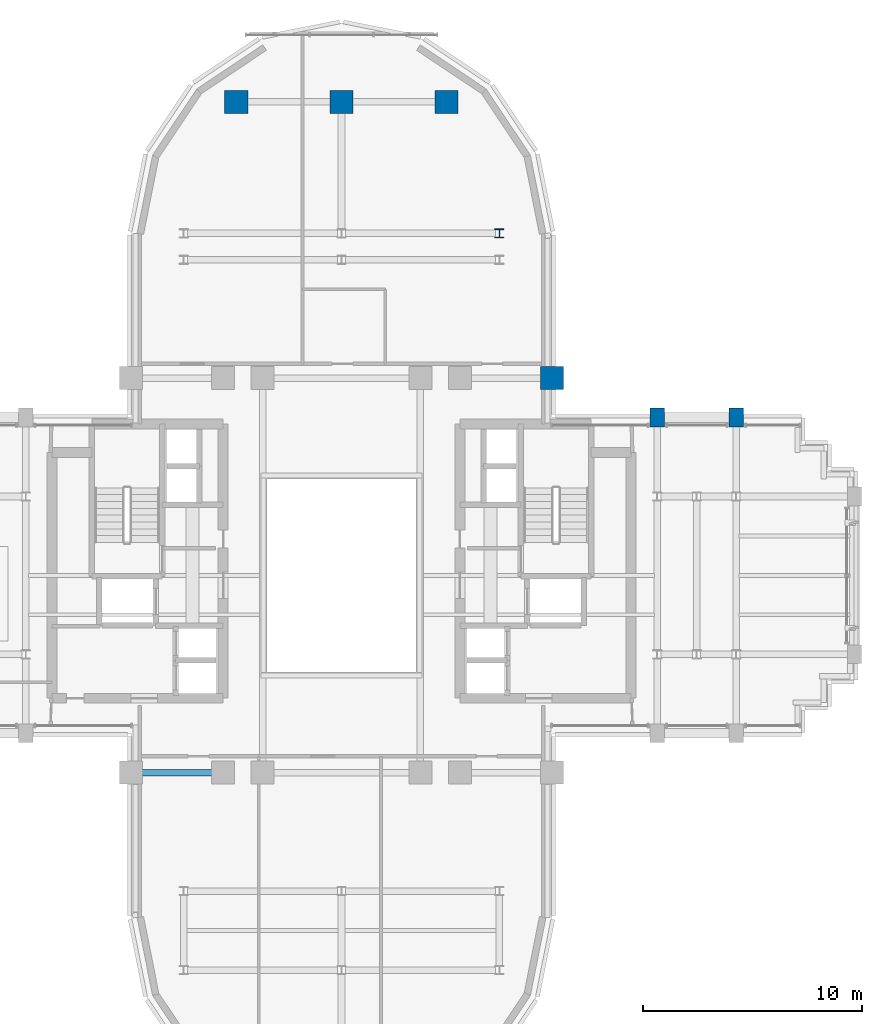
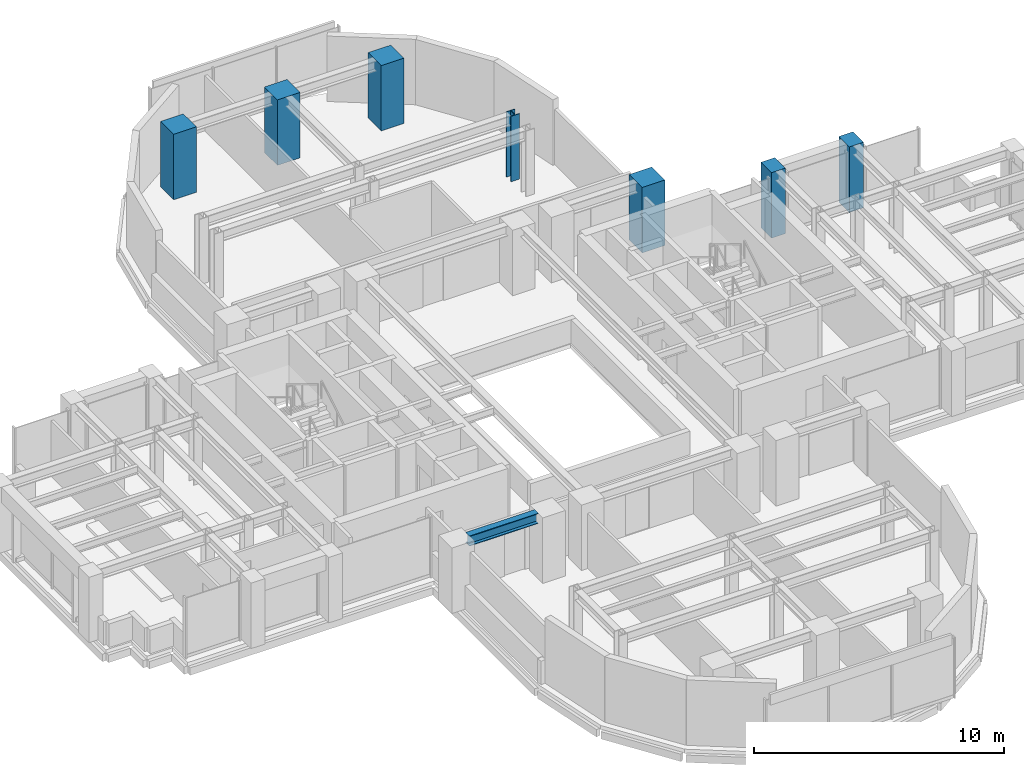
# One storey, part 2 of 13: 7 columns, 1 beam.
"""IFC4 building model written with IfcOpenShell, lengths in metres."""

from ifc_helpers import new_model, si_unit, direction, frame, origin, origin_2d, place, context, subcontext, project, spatial, rectangle, i_section, extrude, source, transform, mapped, material, material_profile, profile_set, type_object, element, save


model = new_model("IFC4")

# Units and contexts
model_context = context("Model", 3, precision=1e-05, world=origin(), true_north=direction((0.0, 1.0)))
body_context = subcontext(model_context, "Body", "Model", "MODEL_VIEW")
ifc_project = project(units=[si_unit("LENGTHUNIT", "METRE"), si_unit("AREAUNIT", "SQUARE_METRE"), si_unit("VOLUMEUNIT", "CUBIC_METRE"), si_unit("PLANEANGLEUNIT", "RADIAN"), si_unit("MASSUNIT", "GRAM", prefix="KILO")], contexts=[model_context])

# Site, building, storey
site_placement = place(None, origin())
site = spatial("IfcSite", under=ifc_project, at=site_placement, CompositionType="ELEMENT")
building_placement = place(site_placement, origin())
building = spatial("IfcBuilding", under=site, at=building_placement, Name="Keilestroom Media Tower", CompositionType="ELEMENT")
storey_placement = place(building_placement, frame((0.0, 0.0, 141.39990234375)))
storey = spatial("IfcBuildingStorey", under=building, at=storey_placement, Name="L38", CompositionType="ELEMENT", Elevation=141.39990234375)

# Columns
ifc_material_1 = material(Name="Precast concrete C40/50", Category="concrete")
ifc_material_profile_1 = material_profile(ifc_material_1, rectangle(XDim=0.64990234375, YDim=0.85009765625, at=origin_2d()), Name="PC 850x650")
ifc_profile_set_1 = profile_set([ifc_material_profile_1], Name="Precast concrete C40/50")
column_type_1 = type_object("IfcColumnType", Name="Structural-Column-PC-850x650", PredefinedType="COLUMN", material=ifc_profile_set_1)
shared_shape_1 = source(origin(), body_context, "Body", "SweptSolid", [
    extrude(rectangle(XDim=0.64990234375, YDim=0.85009765625, at=origin_2d()), origin(), (0.0, 0.0, 1.0), 3.2001953125),
])
for number, where, z_axis, x_axis, name in (
    (1, (14.39990234375, 7.199951171875, 0.0), (0.0, 0.0, 1.0), (1.0, 0.0, 0.0), "L38 Column PC-2 (+14.4,+7.2)"),
    (2, (18.0, 7.199951171875, 0.0), (0.0, 0.0, 1.0), (1.0, 0.0, 0.0), "L38 Column PC-2 (+18.0,+7.2)"),
):
    element("IfcColumn", number, at=place(storey_placement, frame(where, z_axis=z_axis, x_axis=x_axis)), inside=storey, type_object=column_type_1, Name=name, PredefinedType="COLUMN", context=body_context, shape_type="MappedRepresentation", body=[
        mapped(shared_shape_1, transform((0.0, 0.0, 0.0), x_axis=(1.0, 0.0, 0.0), y_axis=(0.0, 1.0, 0.0), z_axis=(0.0, 0.0, 1.0), scale=1.0)),
    ])
ifc_material_2 = material(Name="Steel S355", Category="steel")
ifc_material_profile_2 = material_profile(ifc_material_2, i_section(OverallWidth=0.40087890625, OverallDepth=0.39892578125, WebThickness=0.02001953125, FlangeThickness=0.031982421875, at=origin_2d()), Name="HD 400x314")
ifc_profile_set_2 = profile_set([ifc_material_profile_2], Name="Steel S355")
column_type_2 = type_object("IfcColumnType", Name="Structural-Column-HD-400x314", PredefinedType="COLUMN", material=ifc_profile_set_2)
shared_shape_2 = source(origin(), body_context, "Body", "SweptSolid", [
    extrude(i_section(OverallWidth=0.40087890625, OverallDepth=0.39892578125, WebThickness=0.02001953125, FlangeThickness=0.031982421875, at=origin_2d()), origin(), (0.0, 0.0, 1.0), 3.2001953125),
])
column_placement = place(storey_placement, frame((7.199951171875, 15.60009765625, 0.0), z_axis=(0.0, 0.0, 1.0), x_axis=(1.0, 0.0, 0.0)))
element("IfcColumn", 3, at=column_placement, inside=storey, type_object=column_type_2, Name="L38 Column SC-3 (+7.2,+15.6)", PredefinedType="COLUMN", context=body_context, shape_type="MappedRepresentation", body=[
    mapped(shared_shape_2, transform((0.0, 0.0, 0.0), x_axis=(1.0, 0.0, 0.0), y_axis=(0.0, 1.0, 0.0), z_axis=(0.0, 0.0, 1.0), scale=1.0)),
])
ifc_material_3 = material(Name="Concrete C55/67", Category="concrete")
ifc_material_profile_3 = material_profile(ifc_material_3, rectangle(XDim=1.050048828125, YDim=1.050048828125, at=origin_2d()), Name="RC 1050x1050")
ifc_profile_set_3 = profile_set([ifc_material_profile_3], Name="Concrete C55/67")
column_type_3 = type_object("IfcColumnType", Name="Structural-Column-RC-1050x1050", PredefinedType="COLUMN", material=ifc_profile_set_3)
shared_shape_3 = source(origin(), body_context, "Body", "SweptSolid", [
    extrude(rectangle(XDim=1.050048828125, YDim=1.050048828125, at=origin_2d()), origin(), (0.0, 0.0, 1.0), 3.2001953125),
])
for number, where, z_axis, x_axis, name in (
    (4, (-4.800048828125, 21.60009765625, 0.0), (0.0, 0.0, 1.0), (1.0, 0.0, 0.0), "L38 Column MC-3 (-4.8,+21.6)"),
    (5, (0.0, 21.60009765625, 0.0), (0.0, 0.0, 1.0), (1.0, 0.0, 0.0), "L38 Column MC-3 (+0.0,+21.6)"),
    (6, (4.800048828125, 21.60009765625, 0.0), (0.0, 0.0, 1.0), (1.0, 0.0, 0.0), "L38 Column MC-3 (+4.8,+21.6)"),
    (7, (9.60009765625, 9.0, 0.0), (0.0, 0.0, 1.0), (1.0, 0.0, 0.0), "L38 Column MC-3 (+9.6,+9.0)"),
):
    element("IfcColumn", number, at=place(storey_placement, frame(where, z_axis=z_axis, x_axis=x_axis)), inside=storey, type_object=column_type_3, Name=name, PredefinedType="COLUMN", context=body_context, shape_type="MappedRepresentation", body=[
        mapped(shared_shape_3, transform((0.0, 0.0, 0.0), x_axis=(1.0, 0.0, 0.0), y_axis=(0.0, 1.0, 0.0), z_axis=(0.0, 0.0, 1.0), scale=1.0)),
    ])

# Beam
ifc_material_profile_4 = material_profile(ifc_material_2, i_section(OverallWidth=0.300048828125, OverallDepth=0.5, WebThickness=0.012451171875, FlangeThickness=0.028076171875, at=origin_2d()), Name="HEB 500")
ifc_profile_set_4 = profile_set([ifc_material_profile_4], Name="Steel S355")
beam_type = type_object("IfcBeamType", Name="Primary-Structural-Girder-HEB-500", PredefinedType="BEAM", material=ifc_profile_set_4)
shared_shape_4 = source(origin(), body_context, "Body", "SweptSolid", [
    extrude(i_section(OverallWidth=0.300048828125, OverallDepth=0.5, WebThickness=0.012451171875, FlangeThickness=0.028076171875, at=origin_2d()), origin(), (0.0, 0.0, 1.0), 3.18994140625),
])
beam_placement = place(storey_placement, frame((-9.094970703125, -9.0, 2.9501953125), z_axis=(1.0, 0.0, 0.0), x_axis=(0.0, 1.0, 0.0)))
element("IfcBeam", 8, at=beam_placement, inside=storey, type_object=beam_type, Name="L38 Beam BG-6 BM-L38-EW-007", PredefinedType="BEAM", context=body_context, shape_type="MappedRepresentation", body=[
    mapped(shared_shape_4, transform((0.0, 0.0, 0.0), x_axis=(1.0, 0.0, 0.0), y_axis=(0.0, 1.0, 0.0), z_axis=(0.0, 0.0, 1.0), scale=1.0)),
])

save(model, "model.ifc")
